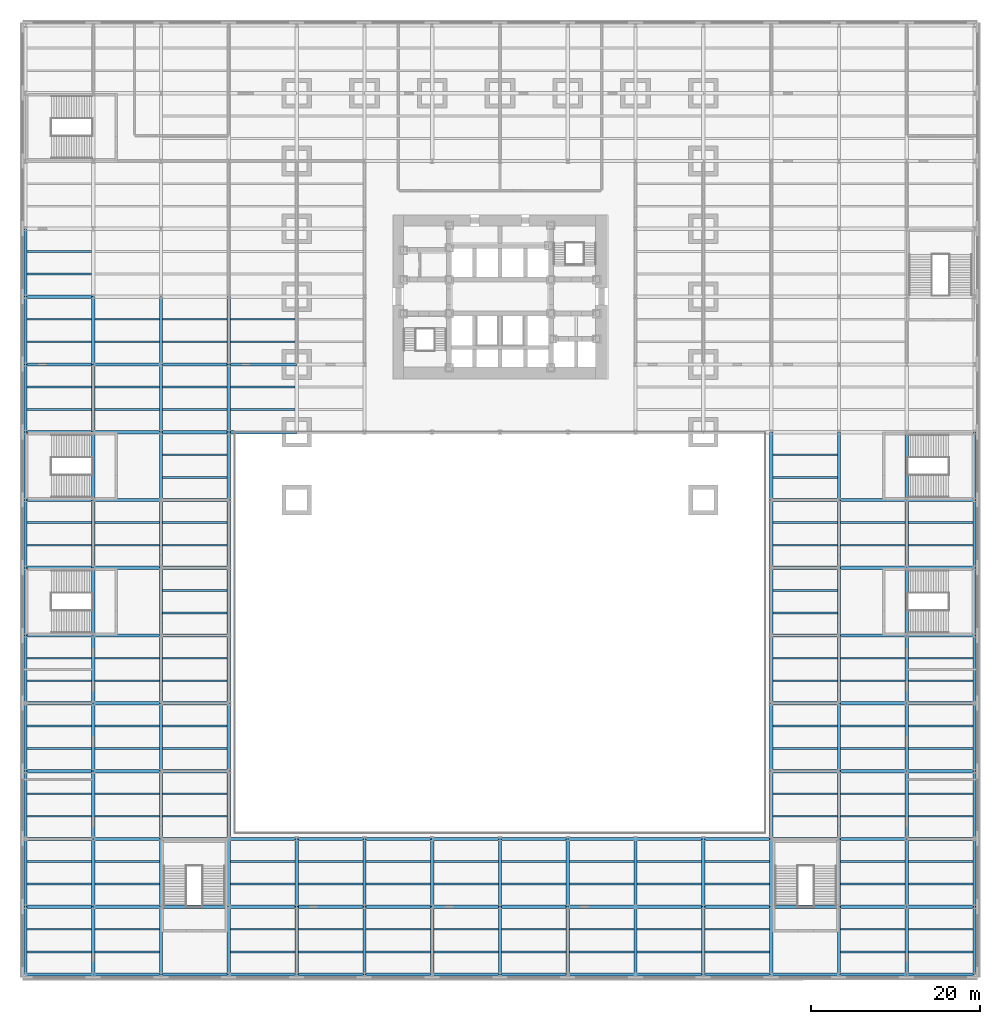
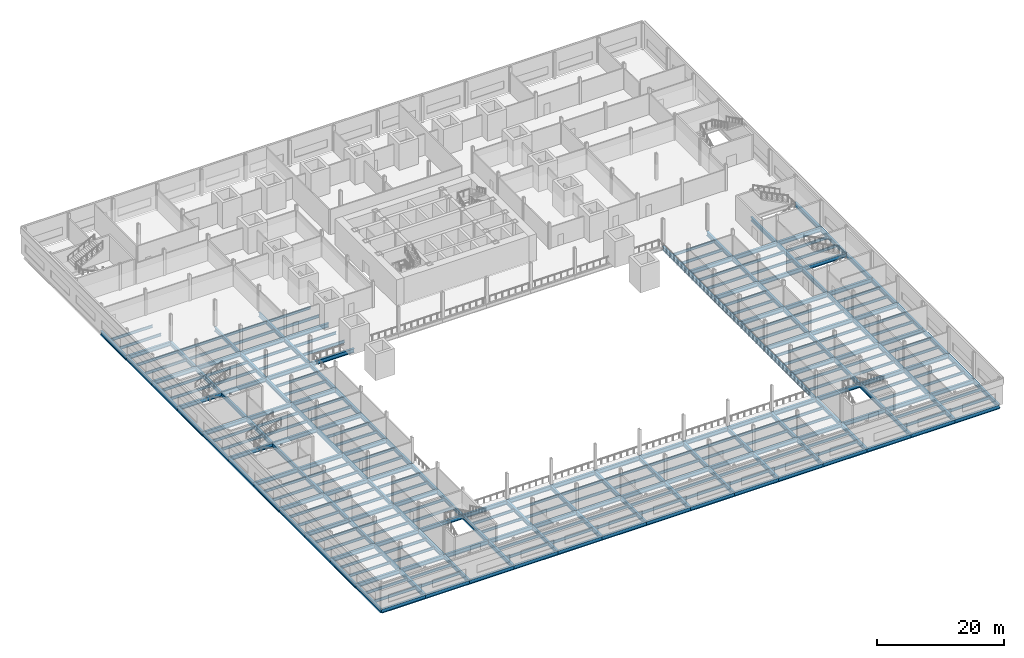
# One storey, part 5 of 18: 290 beams.
"""IFC4 building model written with IfcOpenShell, lengths in metres."""

from ifc_helpers import new_model, si_unit, direction, frame, origin, origin_2d, place, context, subcontext, project, spatial, i_section, extrude, material, material_profile, profile_set, type_object, element, save


model = new_model("IFC4")

# Units and contexts
model_context = context("Model", 3, precision=1e-05, world=origin(), true_north=direction((0.0, 1.0)))
body_context = subcontext(model_context, "Body", "Model", "MODEL_VIEW")
ifc_project = project(units=[si_unit("LENGTHUNIT", "METRE"), si_unit("AREAUNIT", "SQUARE_METRE"), si_unit("VOLUMEUNIT", "CUBIC_METRE"), si_unit("PLANEANGLEUNIT", "RADIAN"), si_unit("MASSUNIT", "GRAM", prefix="KILO")], contexts=[model_context])

# Site, building, storey
site_placement = place(None, origin())
site = spatial("IfcSite", under=ifc_project, at=site_placement, CompositionType="ELEMENT")
building_placement = place(site_placement, origin())
building = spatial("IfcBuilding", under=site, at=building_placement, Name="Daluyong Arena Tower", CompositionType="ELEMENT")
storey_placement = place(building_placement, frame((0.0, 0.0, 4.89990234375)))
storey = spatial("IfcBuildingStorey", under=building, at=storey_placement, Name="L01", CompositionType="ELEMENT", Elevation=4.89990234375)

# Beams
ifc_material_1 = material(Name="Steel ASTM A992 Grade 50", Category="steel")
ifc_material_profile_1 = material_profile(ifc_material_1, i_section(OverallWidth=0.209228515625, OverallDepth=0.533447265625, WebThickness=0.01025390625, FlangeThickness=0.015625, at=origin_2d()))
ifc_profile_set_1 = profile_set([ifc_material_profile_1], Name="Steel ASTM A992 Grade 50")
beam_type_1 = type_object("IfcBeamType", Name="Podium floor beam W21X62", PredefinedType="BEAM", material=ifc_profile_set_1)
for number, where, z_axis, x_axis, name in (
    (1, (0.1904296875, 2.666748046875, -0.466552734375), (1.0, 0.0, 0.0), (0.0, 1.0, 0.0), "podium floor beam PB1"),
    (2, (0.1904296875, 5.333251953125, -0.466552734375), (1.0, 0.0, 0.0), (0.0, 1.0, 0.0), "podium floor beam PB1"),
    (3, (0.1904296875, 10.666748046875, -0.466552734375), (1.0, 0.0, 0.0), (0.0, 1.0, 0.0), "podium floor beam PB1"),
    (4, (0.1904296875, 13.333251953125, -0.466552734375), (1.0, 0.0, 0.0), (0.0, 1.0, 0.0), "podium floor beam PB1"),
    (5, (0.1904296875, 18.666748046875, -0.466552734375), (1.0, 0.0, 0.0), (0.0, 1.0, 0.0), "podium floor beam PB1"),
    (6, (0.1904296875, 21.333251953125, -0.466552734375), (1.0, 0.0, 0.0), (0.0, 1.0, 0.0), "podium floor beam PB1"),
    (7, (0.1904296875, 26.666748046875, -0.466552734375), (1.0, 0.0, 0.0), (0.0, 1.0, 0.0), "podium floor beam PB1"),
    (8, (0.1904296875, 29.333251953125, -0.466552734375), (1.0, 0.0, 0.0), (0.0, 1.0, 0.0), "podium floor beam PB1"),
    (9, (0.1904296875, 34.666748046875, -0.466552734375), (1.0, 0.0, 0.0), (0.0, 1.0, 0.0), "podium floor beam PB1"),
    (10, (0.1904296875, 37.333251953125, -0.466552734375), (1.0, 0.0, 0.0), (0.0, 1.0, 0.0), "podium floor beam PB1"),
    (11, (0.1904296875, 50.666748046875, -0.466552734375), (1.0, 0.0, 0.0), (0.0, 1.0, 0.0), "podium floor beam PB1"),
    (12, (0.1904296875, 53.333251953125, -0.466552734375), (1.0, 0.0, 0.0), (0.0, 1.0, 0.0), "podium floor beam PB1"),
    (13, (0.1904296875, 66.666748046875, -0.466552734375), (1.0, 0.0, 0.0), (0.0, 1.0, 0.0), "podium floor beam PB1"),
    (14, (0.1904296875, 69.333251953125, -0.466552734375), (1.0, 0.0, 0.0), (0.0, 1.0, 0.0), "podium floor beam PB1"),
    (15, (0.1904296875, 74.666748046875, -0.466552734375), (1.0, 0.0, 0.0), (0.0, 1.0, 0.0), "podium floor beam PB1"),
    (16, (0.1904296875, 77.333251953125, -0.466552734375), (1.0, 0.0, 0.0), (0.0, 1.0, 0.0), "podium floor beam PB1"),
    (17, (0.1904296875, 82.666748046875, -0.466552734375), (1.0, 0.0, 0.0), (0.0, 1.0, 0.0), "podium floor beam PB1"),
    (18, (0.1904296875, 85.333251953125, -0.466552734375), (1.0, 0.0, 0.0), (0.0, 1.0, 0.0), "podium floor beam PB1"),
    (19, (8.1904296875, 2.666748046875, -0.466552734375), (1.0, 0.0, 0.0), (0.0, 1.0, 0.0), "podium floor beam PB1"),
    (20, (8.1904296875, 5.333251953125, -0.466552734375), (1.0, 0.0, 0.0), (0.0, 1.0, 0.0), "podium floor beam PB1"),
    (21, (8.1904296875, 10.666748046875, -0.466552734375), (1.0, 0.0, 0.0), (0.0, 1.0, 0.0), "podium floor beam PB1"),
    (22, (8.1904296875, 13.333251953125, -0.466552734375), (1.0, 0.0, 0.0), (0.0, 1.0, 0.0), "podium floor beam PB1"),
    (23, (8.1904296875, 18.666748046875, -0.466552734375), (1.0, 0.0, 0.0), (0.0, 1.0, 0.0), "podium floor beam PB1"),
    (24, (8.1904296875, 21.333251953125, -0.466552734375), (1.0, 0.0, 0.0), (0.0, 1.0, 0.0), "podium floor beam PB1"),
    (25, (8.1904296875, 26.666748046875, -0.466552734375), (1.0, 0.0, 0.0), (0.0, 1.0, 0.0), "podium floor beam PB1"),
    (26, (8.1904296875, 29.333251953125, -0.466552734375), (1.0, 0.0, 0.0), (0.0, 1.0, 0.0), "podium floor beam PB1"),
    (27, (8.1904296875, 34.666748046875, -0.466552734375), (1.0, 0.0, 0.0), (0.0, 1.0, 0.0), "podium floor beam PB1"),
    (28, (8.1904296875, 37.333251953125, -0.466552734375), (1.0, 0.0, 0.0), (0.0, 1.0, 0.0), "podium floor beam PB1"),
    (29, (8.1904296875, 50.666748046875, -0.466552734375), (1.0, 0.0, 0.0), (0.0, 1.0, 0.0), "podium floor beam PB1"),
    (30, (8.1904296875, 53.333251953125, -0.466552734375), (1.0, 0.0, 0.0), (0.0, 1.0, 0.0), "podium floor beam PB1"),
    (31, (8.1904296875, 66.666748046875, -0.466552734375), (1.0, 0.0, 0.0), (0.0, 1.0, 0.0), "podium floor beam PB1"),
    (32, (8.1904296875, 69.333251953125, -0.466552734375), (1.0, 0.0, 0.0), (0.0, 1.0, 0.0), "podium floor beam PB1"),
    (33, (8.1904296875, 74.666748046875, -0.466552734375), (1.0, 0.0, 0.0), (0.0, 1.0, 0.0), "podium floor beam PB1"),
    (34, (8.1904296875, 77.333251953125, -0.466552734375), (1.0, 0.0, 0.0), (0.0, 1.0, 0.0), "podium floor beam PB1"),
    (35, (16.1904296875, 18.666748046875, -0.466552734375), (1.0, 0.0, 0.0), (0.0, 1.0, 0.0), "podium floor beam PB1"),
    (36, (16.1904296875, 21.333251953125, -0.466552734375), (1.0, 0.0, 0.0), (0.0, 1.0, 0.0), "podium floor beam PB1"),
    (37, (16.1904296875, 26.666748046875, -0.466552734375), (1.0, 0.0, 0.0), (0.0, 1.0, 0.0), "podium floor beam PB1"),
    (38, (16.1904296875, 29.333251953125, -0.466552734375), (1.0, 0.0, 0.0), (0.0, 1.0, 0.0), "podium floor beam PB1"),
    (39, (16.1904296875, 34.666748046875, -0.466552734375), (1.0, 0.0, 0.0), (0.0, 1.0, 0.0), "podium floor beam PB1"),
    (40, (16.1904296875, 37.333251953125, -0.466552734375), (1.0, 0.0, 0.0), (0.0, 1.0, 0.0), "podium floor beam PB1"),
    (41, (16.1904296875, 42.666748046875, -0.466552734375), (1.0, 0.0, 0.0), (0.0, 1.0, 0.0), "podium floor beam PB1"),
    (42, (16.1904296875, 45.333251953125, -0.466552734375), (1.0, 0.0, 0.0), (0.0, 1.0, 0.0), "podium floor beam PB1"),
    (43, (16.1904296875, 50.666748046875, -0.466552734375), (1.0, 0.0, 0.0), (0.0, 1.0, 0.0), "podium floor beam PB1"),
    (44, (16.1904296875, 53.333251953125, -0.466552734375), (1.0, 0.0, 0.0), (0.0, 1.0, 0.0), "podium floor beam PB1"),
    (45, (16.1904296875, 58.666748046875, -0.466552734375), (1.0, 0.0, 0.0), (0.0, 1.0, 0.0), "podium floor beam PB1"),
    (46, (16.1904296875, 61.333251953125, -0.466552734375), (1.0, 0.0, 0.0), (0.0, 1.0, 0.0), "podium floor beam PB1"),
    (47, (16.1904296875, 66.666748046875, -0.466552734375), (1.0, 0.0, 0.0), (0.0, 1.0, 0.0), "podium floor beam PB1"),
    (48, (16.1904296875, 69.333251953125, -0.466552734375), (1.0, 0.0, 0.0), (0.0, 1.0, 0.0), "podium floor beam PB1"),
    (49, (16.1904296875, 74.666748046875, -0.466552734375), (1.0, 0.0, 0.0), (0.0, 1.0, 0.0), "podium floor beam PB1"),
    (50, (16.1904296875, 77.333251953125, -0.466552734375), (1.0, 0.0, 0.0), (0.0, 1.0, 0.0), "podium floor beam PB1"),
    (51, (24.1904296875, 2.666748046875, -0.466552734375), (1.0, 0.0, 0.0), (0.0, 1.0, 0.0), "podium floor beam PB1"),
    (52, (24.1904296875, 5.333251953125, -0.466552734375), (1.0, 0.0, 0.0), (0.0, 1.0, 0.0), "podium floor beam PB1"),
    (53, (24.1904296875, 10.666748046875, -0.466552734375), (1.0, 0.0, 0.0), (0.0, 1.0, 0.0), "podium floor beam PB1"),
    (54, (24.1904296875, 13.333251953125, -0.466552734375), (1.0, 0.0, 0.0), (0.0, 1.0, 0.0), "podium floor beam PB1"),
    (55, (24.1904296875, 66.666748046875, -0.466552734375), (1.0, 0.0, 0.0), (0.0, 1.0, 0.0), "podium floor beam PB1"),
    (56, (24.1904296875, 69.333251953125, -0.466552734375), (1.0, 0.0, 0.0), (0.0, 1.0, 0.0), "podium floor beam PB1"),
    (57, (24.1904296875, 74.666748046875, -0.466552734375), (1.0, 0.0, 0.0), (0.0, 1.0, 0.0), "podium floor beam PB1"),
    (58, (24.1904296875, 77.333251953125, -0.466552734375), (1.0, 0.0, 0.0), (0.0, 1.0, 0.0), "podium floor beam PB1"),
    (59, (32.1904296875, 2.666748046875, -0.466552734375), (1.0, 0.0, 0.0), (0.0, 1.0, 0.0), "podium floor beam PB1"),
    (60, (32.1904296875, 5.333251953125, -0.466552734375), (1.0, 0.0, 0.0), (0.0, 1.0, 0.0), "podium floor beam PB1"),
    (61, (32.1904296875, 10.666748046875, -0.466552734375), (1.0, 0.0, 0.0), (0.0, 1.0, 0.0), "podium floor beam PB1"),
    (62, (32.1904296875, 13.333251953125, -0.466552734375), (1.0, 0.0, 0.0), (0.0, 1.0, 0.0), "podium floor beam PB1"),
    (63, (40.1904296875, 2.666748046875, -0.466552734375), (1.0, 0.0, 0.0), (0.0, 1.0, 0.0), "podium floor beam PB1"),
    (64, (40.1904296875, 5.333251953125, -0.466552734375), (1.0, 0.0, 0.0), (0.0, 1.0, 0.0), "podium floor beam PB1"),
    (65, (40.1904296875, 10.666748046875, -0.466552734375), (1.0, 0.0, 0.0), (0.0, 1.0, 0.0), "podium floor beam PB1"),
    (66, (40.1904296875, 13.333251953125, -0.466552734375), (1.0, 0.0, 0.0), (0.0, 1.0, 0.0), "podium floor beam PB1"),
    (67, (48.1904296875, 2.666748046875, -0.466552734375), (1.0, 0.0, 0.0), (0.0, 1.0, 0.0), "podium floor beam PB1"),
    (68, (48.1904296875, 5.333251953125, -0.466552734375), (1.0, 0.0, 0.0), (0.0, 1.0, 0.0), "podium floor beam PB1"),
    (69, (48.1904296875, 10.666748046875, -0.466552734375), (1.0, 0.0, 0.0), (0.0, 1.0, 0.0), "podium floor beam PB1"),
    (70, (48.1904296875, 13.333251953125, -0.466552734375), (1.0, 0.0, 0.0), (0.0, 1.0, 0.0), "podium floor beam PB1"),
    (71, (56.1904296875, 2.666748046875, -0.466552734375), (1.0, 0.0, 0.0), (0.0, 1.0, 0.0), "podium floor beam PB1"),
    (72, (56.1904296875, 5.333251953125, -0.466552734375), (1.0, 0.0, 0.0), (0.0, 1.0, 0.0), "podium floor beam PB1"),
    (73, (56.1904296875, 10.666748046875, -0.466552734375), (1.0, 0.0, 0.0), (0.0, 1.0, 0.0), "podium floor beam PB1"),
    (74, (56.1904296875, 13.333251953125, -0.466552734375), (1.0, 0.0, 0.0), (0.0, 1.0, 0.0), "podium floor beam PB1"),
    (75, (64.1904296875, 2.666748046875, -0.466552734375), (1.0, 0.0, 0.0), (0.0, 1.0, 0.0), "podium floor beam PB1"),
    (76, (64.1904296875, 5.333251953125, -0.466552734375), (1.0, 0.0, 0.0), (0.0, 1.0, 0.0), "podium floor beam PB1"),
    (77, (64.1904296875, 10.666748046875, -0.466552734375), (1.0, 0.0, 0.0), (0.0, 1.0, 0.0), "podium floor beam PB1"),
    (78, (64.1904296875, 13.333251953125, -0.466552734375), (1.0, 0.0, 0.0), (0.0, 1.0, 0.0), "podium floor beam PB1"),
    (79, (72.1904296875, 2.666748046875, -0.466552734375), (1.0, 0.0, 0.0), (0.0, 1.0, 0.0), "podium floor beam PB1"),
    (80, (72.1904296875, 5.333251953125, -0.466552734375), (1.0, 0.0, 0.0), (0.0, 1.0, 0.0), "podium floor beam PB1"),
    (81, (72.1904296875, 10.666748046875, -0.466552734375), (1.0, 0.0, 0.0), (0.0, 1.0, 0.0), "podium floor beam PB1"),
    (82, (72.1904296875, 13.333251953125, -0.466552734375), (1.0, 0.0, 0.0), (0.0, 1.0, 0.0), "podium floor beam PB1"),
    (83, (80.1904296875, 2.666748046875, -0.466552734375), (1.0, 0.0, 0.0), (0.0, 1.0, 0.0), "podium floor beam PB1"),
    (84, (80.1904296875, 5.333251953125, -0.466552734375), (1.0, 0.0, 0.0), (0.0, 1.0, 0.0), "podium floor beam PB1"),
    (85, (80.1904296875, 10.666748046875, -0.466552734375), (1.0, 0.0, 0.0), (0.0, 1.0, 0.0), "podium floor beam PB1"),
    (86, (80.1904296875, 13.333251953125, -0.466552734375), (1.0, 0.0, 0.0), (0.0, 1.0, 0.0), "podium floor beam PB1"),
    (87, (88.1904296875, 18.666748046875, -0.466552734375), (1.0, 0.0, 0.0), (0.0, 1.0, 0.0), "podium floor beam PB1"),
    (88, (88.1904296875, 21.333251953125, -0.466552734375), (1.0, 0.0, 0.0), (0.0, 1.0, 0.0), "podium floor beam PB1"),
    (89, (88.1904296875, 26.666748046875, -0.466552734375), (1.0, 0.0, 0.0), (0.0, 1.0, 0.0), "podium floor beam PB1"),
    (90, (88.1904296875, 29.333251953125, -0.466552734375), (1.0, 0.0, 0.0), (0.0, 1.0, 0.0), "podium floor beam PB1"),
    (91, (88.1904296875, 34.666748046875, -0.466552734375), (1.0, 0.0, 0.0), (0.0, 1.0, 0.0), "podium floor beam PB1"),
    (92, (88.1904296875, 37.333251953125, -0.466552734375), (1.0, 0.0, 0.0), (0.0, 1.0, 0.0), "podium floor beam PB1"),
    (93, (88.1904296875, 42.666748046875, -0.466552734375), (1.0, 0.0, 0.0), (0.0, 1.0, 0.0), "podium floor beam PB1"),
    (94, (88.1904296875, 45.333251953125, -0.466552734375), (1.0, 0.0, 0.0), (0.0, 1.0, 0.0), "podium floor beam PB1"),
    (95, (88.1904296875, 50.666748046875, -0.466552734375), (1.0, 0.0, 0.0), (0.0, 1.0, 0.0), "podium floor beam PB1"),
    (96, (88.1904296875, 53.333251953125, -0.466552734375), (1.0, 0.0, 0.0), (0.0, 1.0, 0.0), "podium floor beam PB1"),
    (97, (88.1904296875, 58.666748046875, -0.466552734375), (1.0, 0.0, 0.0), (0.0, 1.0, 0.0), "podium floor beam PB1"),
    (98, (88.1904296875, 61.333251953125, -0.466552734375), (1.0, 0.0, 0.0), (0.0, 1.0, 0.0), "podium floor beam PB1"),
    (99, (96.1904296875, 2.666748046875, -0.466552734375), (1.0, 0.0, 0.0), (0.0, 1.0, 0.0), "podium floor beam PB1"),
    (100, (96.1904296875, 5.333251953125, -0.466552734375), (1.0, 0.0, 0.0), (0.0, 1.0, 0.0), "podium floor beam PB1"),
    (101, (96.1904296875, 10.666748046875, -0.466552734375), (1.0, 0.0, 0.0), (0.0, 1.0, 0.0), "podium floor beam PB1"),
    (102, (96.1904296875, 13.333251953125, -0.466552734375), (1.0, 0.0, 0.0), (0.0, 1.0, 0.0), "podium floor beam PB1"),
    (103, (96.1904296875, 18.666748046875, -0.466552734375), (1.0, 0.0, 0.0), (0.0, 1.0, 0.0), "podium floor beam PB1"),
    (104, (96.1904296875, 21.333251953125, -0.466552734375), (1.0, 0.0, 0.0), (0.0, 1.0, 0.0), "podium floor beam PB1"),
    (105, (96.1904296875, 26.666748046875, -0.466552734375), (1.0, 0.0, 0.0), (0.0, 1.0, 0.0), "podium floor beam PB1"),
    (106, (96.1904296875, 29.333251953125, -0.466552734375), (1.0, 0.0, 0.0), (0.0, 1.0, 0.0), "podium floor beam PB1"),
    (107, (96.1904296875, 34.666748046875, -0.466552734375), (1.0, 0.0, 0.0), (0.0, 1.0, 0.0), "podium floor beam PB1"),
    (108, (96.1904296875, 37.333251953125, -0.466552734375), (1.0, 0.0, 0.0), (0.0, 1.0, 0.0), "podium floor beam PB1"),
    (109, (96.1904296875, 50.666748046875, -0.466552734375), (1.0, 0.0, 0.0), (0.0, 1.0, 0.0), "podium floor beam PB1"),
    (110, (96.1904296875, 53.333251953125, -0.466552734375), (1.0, 0.0, 0.0), (0.0, 1.0, 0.0), "podium floor beam PB1"),
    (111, (104.1904296875, 2.666748046875, -0.466552734375), (1.0, 0.0, 0.0), (0.0, 1.0, 0.0), "podium floor beam PB1"),
    (112, (104.1904296875, 5.333251953125, -0.466552734375), (1.0, 0.0, 0.0), (0.0, 1.0, 0.0), "podium floor beam PB1"),
    (113, (104.1904296875, 10.666748046875, -0.466552734375), (1.0, 0.0, 0.0), (0.0, 1.0, 0.0), "podium floor beam PB1"),
    (114, (104.1904296875, 13.333251953125, -0.466552734375), (1.0, 0.0, 0.0), (0.0, 1.0, 0.0), "podium floor beam PB1"),
    (115, (104.1904296875, 18.666748046875, -0.466552734375), (1.0, 0.0, 0.0), (0.0, 1.0, 0.0), "podium floor beam PB1"),
    (116, (104.1904296875, 21.333251953125, -0.466552734375), (1.0, 0.0, 0.0), (0.0, 1.0, 0.0), "podium floor beam PB1"),
    (117, (104.1904296875, 26.666748046875, -0.466552734375), (1.0, 0.0, 0.0), (0.0, 1.0, 0.0), "podium floor beam PB1"),
    (118, (104.1904296875, 29.333251953125, -0.466552734375), (1.0, 0.0, 0.0), (0.0, 1.0, 0.0), "podium floor beam PB1"),
    (119, (104.1904296875, 34.666748046875, -0.466552734375), (1.0, 0.0, 0.0), (0.0, 1.0, 0.0), "podium floor beam PB1"),
    (120, (104.1904296875, 37.333251953125, -0.466552734375), (1.0, 0.0, 0.0), (0.0, 1.0, 0.0), "podium floor beam PB1"),
    (121, (104.1904296875, 50.666748046875, -0.466552734375), (1.0, 0.0, 0.0), (0.0, 1.0, 0.0), "podium floor beam PB1"),
    (122, (104.1904296875, 53.333251953125, -0.466552734375), (1.0, 0.0, 0.0), (0.0, 1.0, 0.0), "podium floor beam PB1"),
):
    element("IfcBeam", number, at=place(storey_placement, frame(where, z_axis=z_axis, x_axis=x_axis)), inside=storey, type_object=beam_type_1, Name=name, PredefinedType="BEAM", context=body_context, shape_type="SweptSolid", body=[
        extrude(i_section(OverallWidth=0.209228515625, OverallDepth=0.533447265625, WebThickness=0.01025390625, FlangeThickness=0.015625, at=origin_2d()), origin(), (0.0, 0.0, 1.0), 7.619140625),
    ])
ifc_material_2 = material(Name="Steel ASTM A992 Grade 50", Category="steel")
ifc_material_profile_2 = material_profile(ifc_material_2, i_section(OverallWidth=0.381103515625, OverallDepth=0.772216796875, WebThickness=0.0166015625, FlangeThickness=0.027099609375, at=origin_2d()))
ifc_profile_set_2 = profile_set([ifc_material_profile_2], Name="Steel ASTM A992 Grade 50")
beam_type_2 = type_object("IfcBeamType", Name="Podium girder W30X173", PredefinedType="BEAM", material=ifc_profile_set_2)
for number, where, z_axis, x_axis, name in (
    (123, (0.0, 0.0, -0.5859375), (1.0, 0.0, 0.0), (0.0, 1.0, 0.0), "podium girder PG1"),
    (124, (0.0, 0.0, -0.5859375), (0.0, 1.0, 0.0), (-1.0, 0.0, 0.0), "podium girder PG1"),
    (125, (0.0, 8.0, -0.5859375), (1.0, 0.0, 0.0), (0.0, 1.0, 0.0), "podium girder PG1"),
    (126, (0.0, 8.0, -0.5859375), (0.0, 1.0, 0.0), (-1.0, 0.0, 0.0), "podium girder PG1"),
    (127, (0.0, 16.0, -0.5859375), (1.0, 0.0, 0.0), (0.0, 1.0, 0.0), "podium girder PG1"),
    (128, (0.0, 16.0, -0.5859375), (0.0, 1.0, 0.0), (-1.0, 0.0, 0.0), "podium girder PG1"),
    (129, (0.0, 24.0, -0.5859375), (1.0, 0.0, 0.0), (0.0, 1.0, 0.0), "podium girder PG1"),
    (130, (0.0, 24.0, -0.5859375), (0.0, 1.0, 0.0), (-1.0, 0.0, 0.0), "podium girder PG1"),
    (131, (0.0, 32.0, -0.5859375), (1.0, 0.0, 0.0), (0.0, 1.0, 0.0), "podium girder PG1"),
    (132, (0.0, 32.0, -0.5859375), (0.0, 1.0, 0.0), (-1.0, 0.0, 0.0), "podium girder PG1"),
    (133, (0.0, 40.0, -0.5859375), (1.0, 0.0, 0.0), (0.0, 1.0, 0.0), "podium girder PG1"),
    (134, (0.0, 40.0, -0.5859375), (0.0, 1.0, 0.0), (-1.0, 0.0, 0.0), "podium girder PG1"),
    (135, (0.0, 48.0, -0.5859375), (1.0, 0.0, 0.0), (0.0, 1.0, 0.0), "podium girder PG1"),
    (136, (0.0, 48.0, -0.5859375), (0.0, 1.0, 0.0), (-1.0, 0.0, 0.0), "podium girder PG1"),
    (137, (0.0, 56.0, -0.5859375), (1.0, 0.0, 0.0), (0.0, 1.0, 0.0), "podium girder PG1"),
    (138, (0.0, 56.0, -0.5859375), (0.0, 1.0, 0.0), (-1.0, 0.0, 0.0), "podium girder PG1"),
    (139, (0.0, 64.0, -0.5859375), (1.0, 0.0, 0.0), (0.0, 1.0, 0.0), "podium girder PG1"),
    (140, (0.0, 64.0, -0.5859375), (0.0, 1.0, 0.0), (-1.0, 0.0, 0.0), "podium girder PG1"),
    (141, (0.0, 72.0, -0.5859375), (1.0, 0.0, 0.0), (0.0, 1.0, 0.0), "podium girder PG1"),
    (142, (0.0, 72.0, -0.5859375), (0.0, 1.0, 0.0), (-1.0, 0.0, 0.0), "podium girder PG1"),
    (143, (0.0, 80.0, -0.5859375), (1.0, 0.0, 0.0), (0.0, 1.0, 0.0), "podium girder PG1"),
    (144, (0.0, 80.0, -0.5859375), (0.0, 1.0, 0.0), (-1.0, 0.0, 0.0), "podium girder PG1"),
    (145, (8.0, 0.0, -0.5859375), (1.0, 0.0, 0.0), (0.0, 1.0, 0.0), "podium girder PG1"),
    (146, (8.0, 0.0, -0.5859375), (0.0, 1.0, 0.0), (-1.0, 0.0, 0.0), "podium girder PG1"),
    (147, (8.0, 8.0, -0.5859375), (1.0, 0.0, 0.0), (0.0, 1.0, 0.0), "podium girder PG1"),
    (148, (8.0, 8.0, -0.5859375), (0.0, 1.0, 0.0), (-1.0, 0.0, 0.0), "podium girder PG1"),
    (149, (8.0, 16.0, -0.5859375), (1.0, 0.0, 0.0), (0.0, 1.0, 0.0), "podium girder PG1"),
    (150, (8.0, 16.0, -0.5859375), (0.0, 1.0, 0.0), (-1.0, 0.0, 0.0), "podium girder PG1"),
    (151, (8.0, 24.0, -0.5859375), (1.0, 0.0, 0.0), (0.0, 1.0, 0.0), "podium girder PG1"),
    (152, (8.0, 24.0, -0.5859375), (0.0, 1.0, 0.0), (-1.0, 0.0, 0.0), "podium girder PG1"),
    (153, (8.0, 32.0, -0.5859375), (1.0, 0.0, 0.0), (0.0, 1.0, 0.0), "podium girder PG1"),
    (154, (8.0, 32.0, -0.5859375), (0.0, 1.0, 0.0), (-1.0, 0.0, 0.0), "podium girder PG1"),
    (155, (8.0, 40.0, -0.5859375), (1.0, 0.0, 0.0), (0.0, 1.0, 0.0), "podium girder PG1"),
    (156, (8.0, 40.0, -0.5859375), (0.0, 1.0, 0.0), (-1.0, 0.0, 0.0), "podium girder PG1"),
    (157, (8.0, 48.0, -0.5859375), (1.0, 0.0, 0.0), (0.0, 1.0, 0.0), "podium girder PG1"),
    (158, (8.0, 48.0, -0.5859375), (0.0, 1.0, 0.0), (-1.0, 0.0, 0.0), "podium girder PG1"),
    (159, (8.0, 56.0, -0.5859375), (1.0, 0.0, 0.0), (0.0, 1.0, 0.0), "podium girder PG1"),
    (160, (8.0, 56.0, -0.5859375), (0.0, 1.0, 0.0), (-1.0, 0.0, 0.0), "podium girder PG1"),
    (161, (8.0, 64.0, -0.5859375), (1.0, 0.0, 0.0), (0.0, 1.0, 0.0), "podium girder PG1"),
    (162, (8.0, 64.0, -0.5859375), (0.0, 1.0, 0.0), (-1.0, 0.0, 0.0), "podium girder PG1"),
    (163, (8.0, 72.0, -0.5859375), (1.0, 0.0, 0.0), (0.0, 1.0, 0.0), "podium girder PG1"),
    (164, (8.0, 72.0, -0.5859375), (0.0, 1.0, 0.0), (-1.0, 0.0, 0.0), "podium girder PG1"),
    (165, (16.0, 0.0, -0.5859375), (1.0, 0.0, 0.0), (0.0, 1.0, 0.0), "podium girder PG1"),
    (166, (16.0, 0.0, -0.5859375), (0.0, 1.0, 0.0), (-1.0, 0.0, 0.0), "podium girder PG1"),
    (167, (16.0, 8.0, -0.5859375), (1.0, 0.0, 0.0), (0.0, 1.0, 0.0), "podium girder PG1"),
    (168, (16.0, 8.0, -0.5859375), (0.0, 1.0, 0.0), (-1.0, 0.0, 0.0), "podium girder PG1"),
    (169, (16.0, 16.0, -0.5859375), (1.0, 0.0, 0.0), (0.0, 1.0, 0.0), "podium girder PG1"),
    (170, (16.0, 16.0, -0.5859375), (0.0, 1.0, 0.0), (-1.0, 0.0, 0.0), "podium girder PG1"),
    (171, (16.0, 24.0, -0.5859375), (1.0, 0.0, 0.0), (0.0, 1.0, 0.0), "podium girder PG1"),
    (172, (16.0, 24.0, -0.5859375), (0.0, 1.0, 0.0), (-1.0, 0.0, 0.0), "podium girder PG1"),
    (173, (16.0, 32.0, -0.5859375), (1.0, 0.0, 0.0), (0.0, 1.0, 0.0), "podium girder PG1"),
    (174, (16.0, 32.0, -0.5859375), (0.0, 1.0, 0.0), (-1.0, 0.0, 0.0), "podium girder PG1"),
    (175, (16.0, 40.0, -0.5859375), (1.0, 0.0, 0.0), (0.0, 1.0, 0.0), "podium girder PG1"),
    (176, (16.0, 40.0, -0.5859375), (0.0, 1.0, 0.0), (-1.0, 0.0, 0.0), "podium girder PG1"),
    (177, (16.0, 48.0, -0.5859375), (1.0, 0.0, 0.0), (0.0, 1.0, 0.0), "podium girder PG1"),
    (178, (16.0, 48.0, -0.5859375), (0.0, 1.0, 0.0), (-1.0, 0.0, 0.0), "podium girder PG1"),
    (179, (16.0, 56.0, -0.5859375), (1.0, 0.0, 0.0), (0.0, 1.0, 0.0), "podium girder PG1"),
    (180, (16.0, 56.0, -0.5859375), (0.0, 1.0, 0.0), (-1.0, 0.0, 0.0), "podium girder PG1"),
    (181, (16.0, 64.0, -0.5859375), (1.0, 0.0, 0.0), (0.0, 1.0, 0.0), "podium girder PG1"),
    (182, (16.0, 64.0, -0.5859375), (0.0, 1.0, 0.0), (-1.0, 0.0, 0.0), "podium girder PG1"),
    (183, (16.0, 72.0, -0.5859375), (1.0, 0.0, 0.0), (0.0, 1.0, 0.0), "podium girder PG1"),
    (184, (16.0, 72.0, -0.5859375), (0.0, 1.0, 0.0), (-1.0, 0.0, 0.0), "podium girder PG1"),
    (185, (24.0, 0.0, -0.5859375), (1.0, 0.0, 0.0), (0.0, 1.0, 0.0), "podium girder PG1"),
    (186, (24.0, 0.0, -0.5859375), (0.0, 1.0, 0.0), (-1.0, 0.0, 0.0), "podium girder PG1"),
    (187, (24.0, 8.0, -0.5859375), (1.0, 0.0, 0.0), (0.0, 1.0, 0.0), "podium girder PG1"),
    (188, (24.0, 8.0, -0.5859375), (0.0, 1.0, 0.0), (-1.0, 0.0, 0.0), "podium girder PG1"),
    (189, (24.0, 16.0, -0.5859375), (1.0, 0.0, 0.0), (0.0, 1.0, 0.0), "podium girder PG1"),
    (190, (24.0, 16.0, -0.5859375), (0.0, 1.0, 0.0), (-1.0, 0.0, 0.0), "podium girder PG1"),
    (191, (24.0, 24.0, -0.5859375), (0.0, 1.0, 0.0), (-1.0, 0.0, 0.0), "podium girder PG1"),
    (192, (24.0, 32.0, -0.5859375), (0.0, 1.0, 0.0), (-1.0, 0.0, 0.0), "podium girder PG1"),
    (193, (24.0, 40.0, -0.5859375), (0.0, 1.0, 0.0), (-1.0, 0.0, 0.0), "podium girder PG1"),
    (194, (24.0, 48.0, -0.5859375), (0.0, 1.0, 0.0), (-1.0, 0.0, 0.0), "podium girder PG1"),
    (195, (24.0, 56.0, -0.5859375), (0.0, 1.0, 0.0), (-1.0, 0.0, 0.0), "podium girder PG1"),
    (196, (24.0, 64.0, -0.5859375), (1.0, 0.0, 0.0), (0.0, 1.0, 0.0), "podium girder PG1"),
    (197, (24.0, 64.0, -0.5859375), (0.0, 1.0, 0.0), (-1.0, 0.0, 0.0), "podium girder PG1"),
    (198, (24.0, 72.0, -0.5859375), (1.0, 0.0, 0.0), (0.0, 1.0, 0.0), "podium girder PG1"),
    (199, (24.0, 72.0, -0.5859375), (0.0, 1.0, 0.0), (-1.0, 0.0, 0.0), "podium girder PG1"),
    (200, (32.0, 0.0, -0.5859375), (1.0, 0.0, 0.0), (0.0, 1.0, 0.0), "podium girder PG1"),
    (201, (32.0, 0.0, -0.5859375), (0.0, 1.0, 0.0), (-1.0, 0.0, 0.0), "podium girder PG1"),
    (202, (32.0, 8.0, -0.5859375), (1.0, 0.0, 0.0), (0.0, 1.0, 0.0), "podium girder PG1"),
    (203, (32.0, 8.0, -0.5859375), (0.0, 1.0, 0.0), (-1.0, 0.0, 0.0), "podium girder PG1"),
    (204, (32.0, 16.0, -0.5859375), (1.0, 0.0, 0.0), (0.0, 1.0, 0.0), "podium girder PG1"),
    (205, (40.0, 0.0, -0.5859375), (1.0, 0.0, 0.0), (0.0, 1.0, 0.0), "podium girder PG1"),
    (206, (40.0, 0.0, -0.5859375), (0.0, 1.0, 0.0), (-1.0, 0.0, 0.0), "podium girder PG1"),
    (207, (40.0, 8.0, -0.5859375), (1.0, 0.0, 0.0), (0.0, 1.0, 0.0), "podium girder PG1"),
    (208, (40.0, 8.0, -0.5859375), (0.0, 1.0, 0.0), (-1.0, 0.0, 0.0), "podium girder PG1"),
    (209, (40.0, 16.0, -0.5859375), (1.0, 0.0, 0.0), (0.0, 1.0, 0.0), "podium girder PG1"),
    (210, (48.0, 0.0, -0.5859375), (1.0, 0.0, 0.0), (0.0, 1.0, 0.0), "podium girder PG1"),
    (211, (48.0, 0.0, -0.5859375), (0.0, 1.0, 0.0), (-1.0, 0.0, 0.0), "podium girder PG1"),
    (212, (48.0, 8.0, -0.5859375), (1.0, 0.0, 0.0), (0.0, 1.0, 0.0), "podium girder PG1"),
    (213, (48.0, 8.0, -0.5859375), (0.0, 1.0, 0.0), (-1.0, 0.0, 0.0), "podium girder PG1"),
    (214, (48.0, 16.0, -0.5859375), (1.0, 0.0, 0.0), (0.0, 1.0, 0.0), "podium girder PG1"),
    (215, (56.0, 0.0, -0.5859375), (1.0, 0.0, 0.0), (0.0, 1.0, 0.0), "podium girder PG1"),
    (216, (56.0, 0.0, -0.5859375), (0.0, 1.0, 0.0), (-1.0, 0.0, 0.0), "podium girder PG1"),
    (217, (56.0, 8.0, -0.5859375), (1.0, 0.0, 0.0), (0.0, 1.0, 0.0), "podium girder PG1"),
    (218, (56.0, 8.0, -0.5859375), (0.0, 1.0, 0.0), (-1.0, 0.0, 0.0), "podium girder PG1"),
    (219, (56.0, 16.0, -0.5859375), (1.0, 0.0, 0.0), (0.0, 1.0, 0.0), "podium girder PG1"),
    (220, (64.0, 0.0, -0.5859375), (1.0, 0.0, 0.0), (0.0, 1.0, 0.0), "podium girder PG1"),
    (221, (64.0, 0.0, -0.5859375), (0.0, 1.0, 0.0), (-1.0, 0.0, 0.0), "podium girder PG1"),
    (222, (64.0, 8.0, -0.5859375), (1.0, 0.0, 0.0), (0.0, 1.0, 0.0), "podium girder PG1"),
    (223, (64.0, 8.0, -0.5859375), (0.0, 1.0, 0.0), (-1.0, 0.0, 0.0), "podium girder PG1"),
    (224, (64.0, 16.0, -0.5859375), (1.0, 0.0, 0.0), (0.0, 1.0, 0.0), "podium girder PG1"),
    (225, (72.0, 0.0, -0.5859375), (1.0, 0.0, 0.0), (0.0, 1.0, 0.0), "podium girder PG1"),
    (226, (72.0, 0.0, -0.5859375), (0.0, 1.0, 0.0), (-1.0, 0.0, 0.0), "podium girder PG1"),
    (227, (72.0, 8.0, -0.5859375), (1.0, 0.0, 0.0), (0.0, 1.0, 0.0), "podium girder PG1"),
    (228, (72.0, 8.0, -0.5859375), (0.0, 1.0, 0.0), (-1.0, 0.0, 0.0), "podium girder PG1"),
    (229, (72.0, 16.0, -0.5859375), (1.0, 0.0, 0.0), (0.0, 1.0, 0.0), "podium girder PG1"),
    (230, (80.0, 0.0, -0.5859375), (1.0, 0.0, 0.0), (0.0, 1.0, 0.0), "podium girder PG1"),
    (231, (80.0, 0.0, -0.5859375), (0.0, 1.0, 0.0), (-1.0, 0.0, 0.0), "podium girder PG1"),
    (232, (80.0, 8.0, -0.5859375), (1.0, 0.0, 0.0), (0.0, 1.0, 0.0), "podium girder PG1"),
    (233, (80.0, 8.0, -0.5859375), (0.0, 1.0, 0.0), (-1.0, 0.0, 0.0), "podium girder PG1"),
    (234, (80.0, 16.0, -0.5859375), (1.0, 0.0, 0.0), (0.0, 1.0, 0.0), "podium girder PG1"),
    (235, (88.0, 0.0, -0.5859375), (1.0, 0.0, 0.0), (0.0, 1.0, 0.0), "podium girder PG1"),
    (236, (88.0, 0.0, -0.5859375), (0.0, 1.0, 0.0), (-1.0, 0.0, 0.0), "podium girder PG1"),
    (237, (88.0, 8.0, -0.5859375), (1.0, 0.0, 0.0), (0.0, 1.0, 0.0), "podium girder PG1"),
    (238, (88.0, 8.0, -0.5859375), (0.0, 1.0, 0.0), (-1.0, 0.0, 0.0), "podium girder PG1"),
    (239, (88.0, 16.0, -0.5859375), (1.0, 0.0, 0.0), (0.0, 1.0, 0.0), "podium girder PG1"),
    (240, (88.0, 16.0, -0.5859375), (0.0, 1.0, 0.0), (-1.0, 0.0, 0.0), "podium girder PG1"),
    (241, (88.0, 24.0, -0.5859375), (1.0, 0.0, 0.0), (0.0, 1.0, 0.0), "podium girder PG1"),
    (242, (88.0, 24.0, -0.5859375), (0.0, 1.0, 0.0), (-1.0, 0.0, 0.0), "podium girder PG1"),
    (243, (88.0, 32.0, -0.5859375), (1.0, 0.0, 0.0), (0.0, 1.0, 0.0), "podium girder PG1"),
    (244, (88.0, 32.0, -0.5859375), (0.0, 1.0, 0.0), (-1.0, 0.0, 0.0), "podium girder PG1"),
    (245, (88.0, 40.0, -0.5859375), (1.0, 0.0, 0.0), (0.0, 1.0, 0.0), "podium girder PG1"),
    (246, (88.0, 40.0, -0.5859375), (0.0, 1.0, 0.0), (-1.0, 0.0, 0.0), "podium girder PG1"),
    (247, (88.0, 48.0, -0.5859375), (1.0, 0.0, 0.0), (0.0, 1.0, 0.0), "podium girder PG1"),
    (248, (88.0, 48.0, -0.5859375), (0.0, 1.0, 0.0), (-1.0, 0.0, 0.0), "podium girder PG1"),
    (249, (88.0, 56.0, -0.5859375), (1.0, 0.0, 0.0), (0.0, 1.0, 0.0), "podium girder PG1"),
    (250, (88.0, 56.0, -0.5859375), (0.0, 1.0, 0.0), (-1.0, 0.0, 0.0), "podium girder PG1"),
    (251, (96.0, 0.0, -0.5859375), (1.0, 0.0, 0.0), (0.0, 1.0, 0.0), "podium girder PG1"),
    (252, (96.0, 0.0, -0.5859375), (0.0, 1.0, 0.0), (-1.0, 0.0, 0.0), "podium girder PG1"),
    (253, (96.0, 8.0, -0.5859375), (1.0, 0.0, 0.0), (0.0, 1.0, 0.0), "podium girder PG1"),
    (254, (96.0, 8.0, -0.5859375), (0.0, 1.0, 0.0), (-1.0, 0.0, 0.0), "podium girder PG1"),
    (255, (96.0, 16.0, -0.5859375), (1.0, 0.0, 0.0), (0.0, 1.0, 0.0), "podium girder PG1"),
    (256, (96.0, 16.0, -0.5859375), (0.0, 1.0, 0.0), (-1.0, 0.0, 0.0), "podium girder PG1"),
    (257, (96.0, 24.0, -0.5859375), (1.0, 0.0, 0.0), (0.0, 1.0, 0.0), "podium girder PG1"),
    (258, (96.0, 24.0, -0.5859375), (0.0, 1.0, 0.0), (-1.0, 0.0, 0.0), "podium girder PG1"),
    (259, (96.0, 32.0, -0.5859375), (1.0, 0.0, 0.0), (0.0, 1.0, 0.0), "podium girder PG1"),
    (260, (96.0, 32.0, -0.5859375), (0.0, 1.0, 0.0), (-1.0, 0.0, 0.0), "podium girder PG1"),
    (261, (96.0, 40.0, -0.5859375), (1.0, 0.0, 0.0), (0.0, 1.0, 0.0), "podium girder PG1"),
    (262, (96.0, 40.0, -0.5859375), (0.0, 1.0, 0.0), (-1.0, 0.0, 0.0), "podium girder PG1"),
    (263, (96.0, 48.0, -0.5859375), (1.0, 0.0, 0.0), (0.0, 1.0, 0.0), "podium girder PG1"),
    (264, (96.0, 48.0, -0.5859375), (0.0, 1.0, 0.0), (-1.0, 0.0, 0.0), "podium girder PG1"),
    (265, (96.0, 56.0, -0.5859375), (1.0, 0.0, 0.0), (0.0, 1.0, 0.0), "podium girder PG1"),
    (266, (96.0, 56.0, -0.5859375), (0.0, 1.0, 0.0), (-1.0, 0.0, 0.0), "podium girder PG1"),
    (267, (104.0, 0.0, -0.5859375), (1.0, 0.0, 0.0), (0.0, 1.0, 0.0), "podium girder PG1"),
    (268, (104.0, 0.0, -0.5859375), (0.0, 1.0, 0.0), (-1.0, 0.0, 0.0), "podium girder PG1"),
    (269, (104.0, 8.0, -0.5859375), (1.0, 0.0, 0.0), (0.0, 1.0, 0.0), "podium girder PG1"),
    (270, (104.0, 8.0, -0.5859375), (0.0, 1.0, 0.0), (-1.0, 0.0, 0.0), "podium girder PG1"),
    (271, (104.0, 16.0, -0.5859375), (1.0, 0.0, 0.0), (0.0, 1.0, 0.0), "podium girder PG1"),
    (272, (104.0, 16.0, -0.5859375), (0.0, 1.0, 0.0), (-1.0, 0.0, 0.0), "podium girder PG1"),
    (273, (104.0, 24.0, -0.5859375), (1.0, 0.0, 0.0), (0.0, 1.0, 0.0), "podium girder PG1"),
    (274, (104.0, 24.0, -0.5859375), (0.0, 1.0, 0.0), (-1.0, 0.0, 0.0), "podium girder PG1"),
    (275, (104.0, 32.0, -0.5859375), (1.0, 0.0, 0.0), (0.0, 1.0, 0.0), "podium girder PG1"),
    (276, (104.0, 32.0, -0.5859375), (0.0, 1.0, 0.0), (-1.0, 0.0, 0.0), "podium girder PG1"),
    (277, (104.0, 40.0, -0.5859375), (1.0, 0.0, 0.0), (0.0, 1.0, 0.0), "podium girder PG1"),
    (278, (104.0, 40.0, -0.5859375), (0.0, 1.0, 0.0), (-1.0, 0.0, 0.0), "podium girder PG1"),
    (279, (104.0, 48.0, -0.5859375), (1.0, 0.0, 0.0), (0.0, 1.0, 0.0), "podium girder PG1"),
    (280, (104.0, 48.0, -0.5859375), (0.0, 1.0, 0.0), (-1.0, 0.0, 0.0), "podium girder PG1"),
    (281, (104.0, 56.0, -0.5859375), (1.0, 0.0, 0.0), (0.0, 1.0, 0.0), "podium girder PG1"),
    (282, (104.0, 56.0, -0.5859375), (0.0, 1.0, 0.0), (-1.0, 0.0, 0.0), "podium girder PG1"),
    (283, (112.0, 0.0, -0.5859375), (0.0, 1.0, 0.0), (-1.0, 0.0, 0.0), "podium girder PG1"),
    (284, (112.0, 8.0, -0.5859375), (0.0, 1.0, 0.0), (-1.0, 0.0, 0.0), "podium girder PG1"),
    (285, (112.0, 16.0, -0.5859375), (0.0, 1.0, 0.0), (-1.0, 0.0, 0.0), "podium girder PG1"),
    (286, (112.0, 24.0, -0.5859375), (0.0, 1.0, 0.0), (-1.0, 0.0, 0.0), "podium girder PG1"),
    (287, (112.0, 32.0, -0.5859375), (0.0, 1.0, 0.0), (-1.0, 0.0, 0.0), "podium girder PG1"),
    (288, (112.0, 40.0, -0.5859375), (0.0, 1.0, 0.0), (-1.0, 0.0, 0.0), "podium girder PG1"),
    (289, (112.0, 48.0, -0.5859375), (0.0, 1.0, 0.0), (-1.0, 0.0, 0.0), "podium girder PG1"),
    (290, (112.0, 56.0, -0.5859375), (0.0, 1.0, 0.0), (-1.0, 0.0, 0.0), "podium girder PG1"),
):
    element("IfcBeam", number, at=place(storey_placement, frame(where, z_axis=z_axis, x_axis=x_axis)), inside=storey, type_object=beam_type_2, Name=name, PredefinedType="BEAM", context=body_context, shape_type="SweptSolid", body=[
        extrude(i_section(OverallWidth=0.381103515625, OverallDepth=0.772216796875, WebThickness=0.0166015625, FlangeThickness=0.027099609375, at=origin_2d()), origin(), (0.0, 0.0, 1.0), 8.0),
    ])

save(model, "model.ifc")
